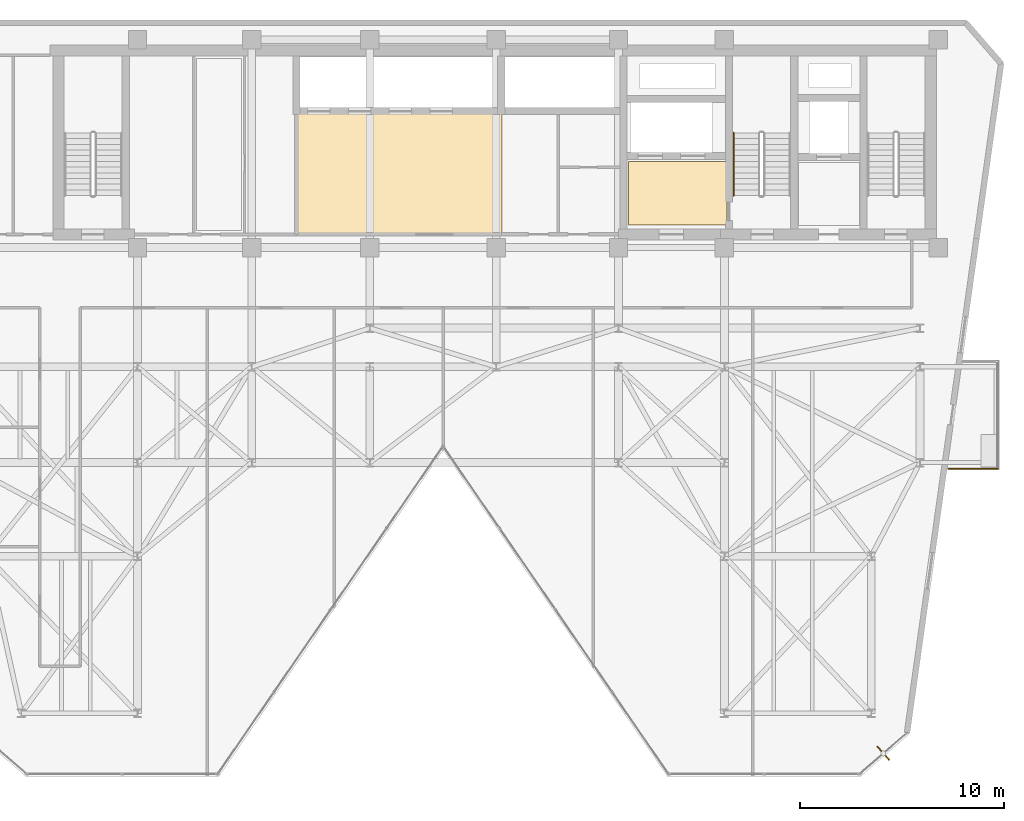
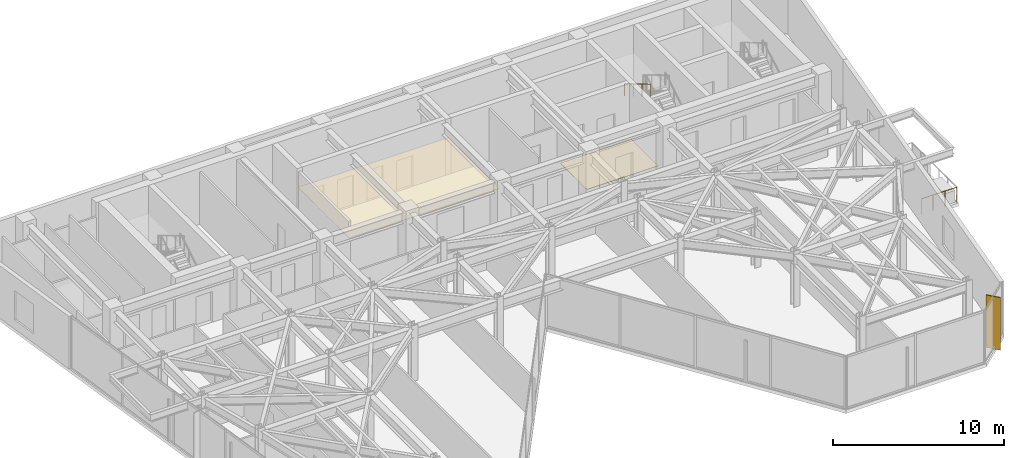
# One storey, part 26 of 27: 2 coverings, 2 railings, 1 shading device.
"""IFC4 building model written with IfcOpenShell, lengths in metres."""

from ifc_helpers import new_model, si_unit, direction, frame, origin, origin_2d, place, context, subcontext, project, spatial, polyline, rectangle, circle, outline, extrude, material, layer, layer_set, type_object, element, save


model = new_model("IFC4")

# Units and contexts
model_context = context("Model", 3, precision=1e-05, world=origin(), true_north=direction((0.0, 1.0)))
body_context = subcontext(model_context, "Body", "Model", "MODEL_VIEW")
ifc_project = project(units=[si_unit("LENGTHUNIT", "METRE"), si_unit("AREAUNIT", "SQUARE_METRE"), si_unit("VOLUMEUNIT", "CUBIC_METRE"), si_unit("PLANEANGLEUNIT", "RADIAN"), si_unit("MASSUNIT", "GRAM", prefix="KILO")], contexts=[model_context])

# Site, building, storey
site_placement = place(None, origin())
site = spatial("IfcSite", under=ifc_project, at=site_placement, CompositionType="ELEMENT")
building_placement = place(site_placement, origin())
building = spatial("IfcBuilding", under=site, at=building_placement, Name="Kravanh Interchange Tower", CompositionType="ELEMENT")
storey_placement = place(building_placement, frame((0.0, 0.0, 188.5)))
storey = spatial("IfcBuildingStorey", under=building, at=storey_placement, Name="L45", CompositionType="ELEMENT", Elevation=188.5)

# Coverings
ifc_material_1 = material(Name="Cementitious Terrazzo Tile")
ifc_layer_1 = layer(ifc_material_1, 0.030029296875)
ifc_layer_set_1 = layer_set([ifc_layer_1], Name="Honed Terrazzo Lobby Flooring 30mm")
covering_type_1 = type_object("IfcCoveringType", Name="Honed Terrazzo Lobby Flooring 30mm", PredefinedType="FLOORING", material=ifc_layer_set_1)
covering_1_placement = place(storey_placement, origin())
element("IfcCovering", 1, at=covering_1_placement, inside=storey, type_object=covering_type_1, Name="L45 Firefighting Lobby Floor Finish", PredefinedType="FLOORING", context=body_context, shape_type="SweptSolid", body=[
    extrude(outline(polyline([(56.1201171875, 38.4599609375), (51.300048828125, 38.4599609375), (51.300048828125, 41.580078125), (56.1201171875, 41.580078125), (56.1201171875, 38.4599609375)])), origin(), (0.0, 0.0, 1.0), 0.030029296875),
])
ifc_material_2 = material(Name="Acoustic Mineral Fibre Tile on Aluminium Grid", Category="aluminium")
ifc_layer_2 = layer(ifc_material_2, 0.02490234375)
ifc_layer_set_2 = layer_set([ifc_layer_2], Name="Perforated Acoustic Mineral Ceiling 25mm")
covering_type_2 = type_object("IfcCoveringType", Name="Perforated Acoustic Mineral Ceiling 25mm", PredefinedType="CEILING", material=ifc_layer_set_2)
covering_2_placement = place(storey_placement, frame((0.0, 0.0, 2.550048828125)))
element("IfcCovering", 2, at=covering_2_placement, inside=storey, type_object=covering_type_2, Name="L45 Mid-Rise Lift Lobby Suspended Ceiling", PredefinedType="CEILING", context=body_context, shape_type="SweptSolid", body=[
    extrude(outline(polyline([(45.090087890625, 37.9599609375), (34.93994140625, 37.9599609375), (34.93994140625, 43.989990234375), (45.090087890625, 43.989990234375), (45.090087890625, 37.9599609375)])), origin(), (0.0, 0.0, 1.0), 0.02490234375),
])

# Railings
ifc_material_3 = material(Name="Stainless Steel 316", Category="steel")
ifc_layer_3 = layer(ifc_material_3, 0.06005859375)
ifc_layer_set_3 = layer_set([ifc_layer_3], Name="Perimeter Balcony and Terrace Guardrail Stainless 316 1120mm")
railing_type_1 = type_object("IfcRailingType", Name="Perimeter Balcony and Terrace Guardrail Stainless 316 1120mm", PredefinedType="GUARDRAIL", material=ifc_layer_set_3)
railing_1_placement = place(storey_placement, frame((69.409912109375, 26.510009765625, 0.0)))
element("IfcRailing", 3, at=railing_1_placement, inside=storey, type_object=railing_type_1, Name="L45 E Balcony Guardrail 2", PredefinedType="GUARDRAIL", context=body_context, shape_type="SweptSolid", body=[
    extrude(circle(Radius=0.02392578125, at=origin_2d()), frame((0.0, 0.0, 1.09619140625), z_axis=(-1.0, 0.0, 0.0), x_axis=(0.0, -1.0, 0.0)), (0.0, 0.0, 1.0), 2.404541015625),
    extrude(circle(Radius=0.02099609375, at=origin_2d()), origin(), (0.0, 0.0, 1.0), 1.072021484375),
    extrude(circle(Radius=0.02099609375, at=origin_2d()), frame((-0.801513671875, 0.0, 0.0)), (0.0, 0.0, 1.0), 1.072021484375),
    extrude(circle(Radius=0.02099609375, at=origin_2d()), frame((-1.60302734375, 0.0, 0.0)), (0.0, 0.0, 1.0), 1.072021484375),
    extrude(circle(Radius=0.02099609375, at=origin_2d()), frame((-2.404541015625, 0.0, 0.0)), (0.0, 0.0, 1.0), 1.072021484375),
])
ifc_material_4 = material(Name="Stainless Steel 304", Category="steel")
ifc_layer_4 = layer(ifc_material_4, 0.044921875)
ifc_layer_set_4 = layer_set([ifc_layer_4], Name="Tubular Stair Handrail Stainless 304 900mm")
railing_type_2 = type_object("IfcRailingType", Name="Tubular Stair Handrail Stainless 304 900mm", PredefinedType="HANDRAIL", material=ifc_layer_set_4)
railing_2_placement = place(storey_placement, frame((56.449951171875, 42.97998046875, 2.166748046875)))
element("IfcRailing", 4, at=railing_2_placement, inside=storey, type_object=railing_type_2, Name="L45 ST2 stair handrail 2", PredefinedType="HANDRAIL", context=body_context, shape_type="SweptSolid", body=[
    extrude(circle(Radius=0.02392578125, at=origin_2d()), frame((0.0, 0.0, 0.8759765625), z_axis=(0.0, -0.859308565015, 0.511457515432), x_axis=(1.0, 0.0, 0.0)), (0.0, 0.0, 1.0), 3.58447265625),
    extrude(circle(Radius=0.02099609375, at=origin_2d()), origin(), (0.0, 0.0, 1.0), 0.851806640625),
    extrude(circle(Radius=0.02099609375, at=origin_2d()), frame((0.0, -1.026611328125, 0.611083984375)), (0.0, 0.0, 1.0), 0.851806640625),
    extrude(circle(Radius=0.02099609375, at=origin_2d()), frame((0.0, -2.053466796875, 1.22216796875)), (0.0, 0.0, 1.0), 0.851806640625),
    extrude(circle(Radius=0.02099609375, at=origin_2d()), frame((0.0, -3.080078125, 1.833251953125)), (0.0, 0.0, 1.0), 0.851806640625),
])

# Shading device
ifc_material_5 = material(Name="Anodised Champagne Bronze Aluminium", Category="aluminium")
ifc_layer_5 = layer(ifc_material_5, 0.06005859375)
ifc_layer_set_5 = layer_set([ifc_layer_5], Name="Vertical Bronze Solar Fin 900mm")
shading_device_type = type_object("IfcShadingDeviceType", Name="Vertical Bronze Solar Fin 900mm", PredefinedType="USERDEFINED", material=ifc_layer_set_5)
shading_device_placement = place(storey_placement, frame((63.80322265625, 12.530517578125, 0.0), z_axis=(0.0, 0.0, 1.0), x_axis=(0.656059988016, -0.754708746554, 0.0)))
element("IfcShadingDevice", 5, at=shading_device_placement, inside=storey, type_object=shading_device_type, Name="L45 BRONZE SOLAR FIN 2", ObjectType="FIN", PredefinedType="USERDEFINED", context=body_context, shape_type="SweptSolid", body=[
    extrude(rectangle(XDim=0.89990234375, YDim=0.06005859375, at=origin_2d()), origin(), (0.0, 0.0, 1.0), 3.7548828125),
])

save(model, "model.ifc")
